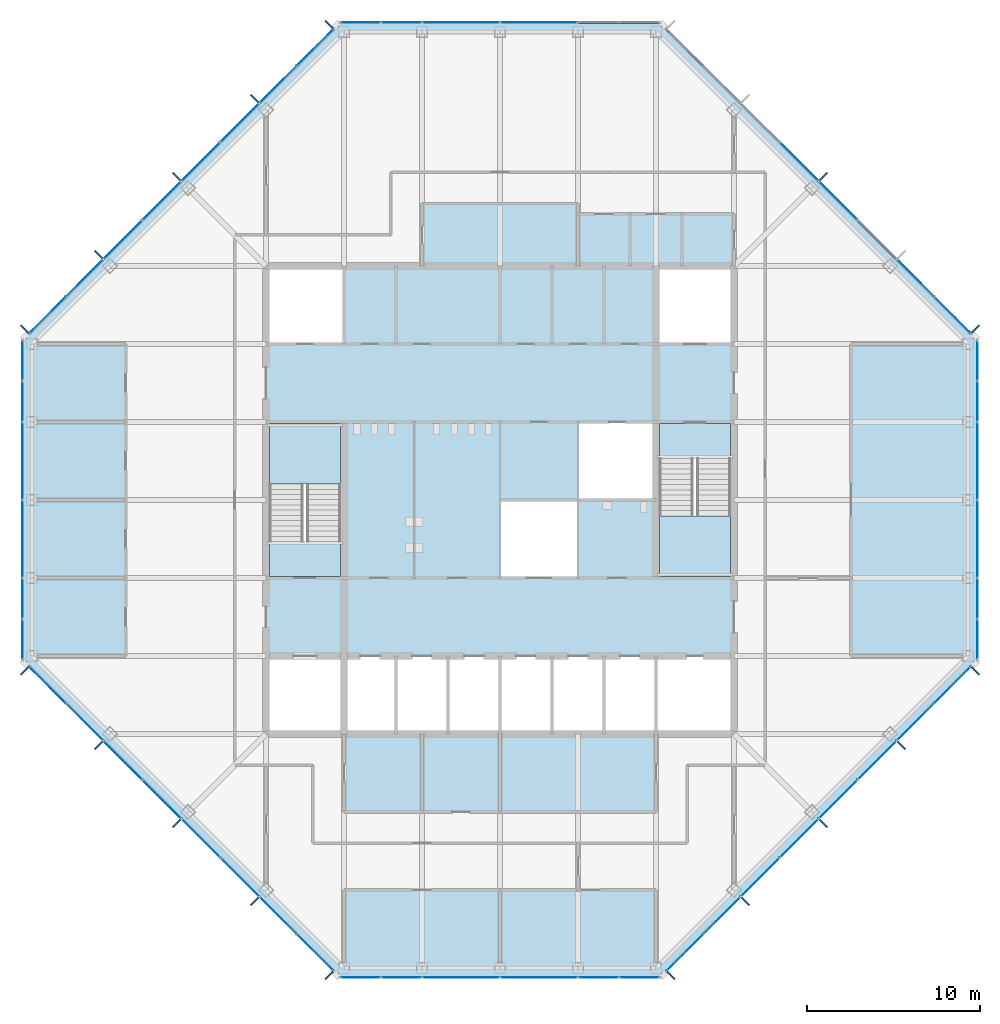
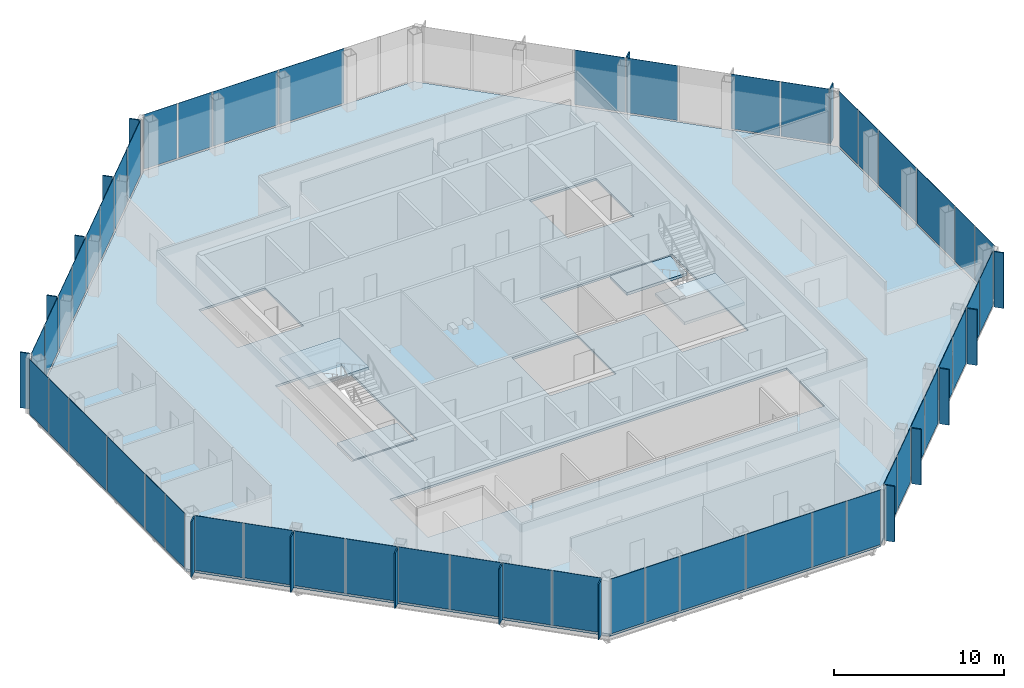
# One storey, part 8 of 14: 67 plates, 5 slabs, 10 elements without a shape of their own.
"""IFC4 building model written with IfcOpenShell, lengths in metres."""

from ifc_helpers import new_model, si_unit, direction, frame, origin, origin_2d, place, context, subcontext, project, spatial, polyline, rectangle, outline, extrude, material, layer, layer_set, type_object, element, aggregate, save


model = new_model("IFC4")

# Units and contexts
model_context = context("Model", 3, precision=1e-05, world=origin(), true_north=direction((0.0, 1.0)))
body_context = subcontext(model_context, "Body", "Model", "MODEL_VIEW")
ifc_project = project(units=[si_unit("LENGTHUNIT", "METRE"), si_unit("AREAUNIT", "SQUARE_METRE"), si_unit("VOLUMEUNIT", "CUBIC_METRE"), si_unit("PLANEANGLEUNIT", "RADIAN"), si_unit("MASSUNIT", "GRAM", prefix="KILO")], contexts=[model_context])

# Site, building, storey
site_placement = place(None, origin())
site = spatial("IfcSite", under=ifc_project, at=site_placement, CompositionType="ELEMENT")
building_placement = place(site_placement, origin())
building = spatial("IfcBuilding", under=site, at=building_placement, Name="Corais Broadcast Tower", CompositionType="ELEMENT")
storey_placement = place(building_placement, frame((0.0, 0.0, 234.60009765625)))
storey = spatial("IfcBuildingStorey", under=building, at=storey_placement, Name="L54", CompositionType="ELEMENT", Elevation=234.60009765625)

# Slab
ifc_material_1 = material(Name="Concrete C30/37", Category="concrete")
ifc_layer_1 = layer(ifc_material_1, 0.159912109375)
ifc_layer_set_1 = layer_set([ifc_layer_1], Name="Concrete C30/37")
slab_type_1 = type_object("IfcSlabType", Name="Composite floor slab 160", PredefinedType="FLOOR", material=ifc_layer_set_1)
slab_1_placement = place(storey_placement, frame((0.0, 0.0, -0.16015625)))
element("IfcSlab", 1, at=slab_1_placement, inside=storey, type_object=slab_type_1, Name="S160 floor slab L54", PredefinedType="FLOOR", context=body_context, shape_type="SweptSolid", body=[
    extrude(outline(polyline([(17.80126953125, -0.47998046875), (-0.47998046875, 17.80126953125), (-0.47998046875, 36.19873046875), (17.80126953125, 54.47998046875), (36.19873046875, 54.47998046875), (54.47998046875, 36.19873046875), (54.47998046875, 17.80126953125), (36.19873046875, -0.47998046875), (17.80126953125, -0.47998046875)]), holes=[polyline([(13.5, 18.0), (40.5, 18.0), (40.5, 13.5), (13.5, 13.5), (13.5, 18.0)]), polyline([(18.0, 22.5), (13.5, 22.5), (13.5, 31.5), (18.0, 31.5), (18.0, 22.5)]), polyline([(18.0, 36.0), (13.5, 36.0), (13.5, 40.5), (18.0, 40.5), (18.0, 36.0)]), polyline([(31.5, 22.5), (27.0, 22.5), (27.0, 27.0), (31.4951171875, 27.0), (31.4951171875, 27.0048828125), (31.5, 27.0048828125), (31.5, 31.5), (40.5, 31.5), (40.5, 22.5), (36.0, 22.5), (36.0, 27.0), (31.5048828125, 27.0), (31.5048828125, 26.9951171875), (31.5, 26.9951171875), (31.5, 22.5)]), polyline([(40.5, 36.0), (36.0, 36.0), (36.0, 40.5), (40.5, 40.5), (40.5, 36.0)])]), origin(), (0.0, 0.0, 1.0), 0.16015625),
])

# Curtain wall, plates
ifc_material_2 = material(Name="Aluminium and glass", Category="aluminium")
curtain_wall_type = type_object("IfcCurtainWallType", Name="Unitised fritted curtain wall CW3", PredefinedType="NOTDEFINED", material=ifc_material_2)
curtain_wall_1_placement = place(storey_placement, origin())
curtain_wall_1 = element("IfcCurtainWall", 2, at=curtain_wall_1_placement, inside=storey, type_object=curtain_wall_type, Name="CW3 curtain wall L54 1", PredefinedType="NOTDEFINED")
ifc_material_3 = material(Name="Ceramic-fritted laminated glass", Category="glass")
ifc_layer_2 = layer(ifc_material_3, 0.02587890625)
ifc_layer_set_2 = layer_set([ifc_layer_2], Name="Ceramic-fritted laminated glass")
plate_type_1 = type_object("IfcPlateType", Name="Fritted glass panel CW3", PredefinedType="CURTAIN_PANEL", material=ifc_layer_set_2)
plate_1_placement = place(storey_placement, frame((16.330322265625, 0.891845703125, 0.06494140625), z_axis=(0.0, 0.0, 1.0), x_axis=(-0.707106781187, 0.707106781187, 0.0)))
plate_1 = element("IfcPlate", 3, at=plate_1_placement, type_object=plate_type_1, Name="CW3 panel 1", PredefinedType="CURTAIN_PANEL", context=body_context, shape_type="SweptSolid", body=[
    extrude(rectangle(XDim=2.9482421875, YDim=0.02587890625, at=origin_2d()), origin(), (0.0, 0.0, 1.0), 3.93505859375),
])
plate_2_placement = place(storey_placement, frame((11.986083984375, 5.236083984375, 0.06494140625), z_axis=(0.0, 0.0, 1.0), x_axis=(-0.707106781187, 0.707106781187, 0.0)))
plate_2 = element("IfcPlate", 4, at=plate_2_placement, type_object=plate_type_1, Name="CW3 panel 3", PredefinedType="CURTAIN_PANEL", context=body_context, shape_type="SweptSolid", body=[
    extrude(rectangle(XDim=3.116943359375, YDim=0.02587890625, at=origin_2d()), origin(), (0.0, 0.0, 1.0), 3.93505859375),
])
plate_3_placement = place(storey_placement, frame((7.486083984375, 9.736083984375, 0.06494140625), z_axis=(0.0, 0.0, 1.0), x_axis=(-0.707106781187, 0.707106781187, 0.0)))
plate_3 = element("IfcPlate", 5, at=plate_3_placement, type_object=plate_type_1, Name="CW3 panel 5", PredefinedType="CURTAIN_PANEL", context=body_context, shape_type="SweptSolid", body=[
    extrude(rectangle(XDim=3.116943359375, YDim=0.02587890625, at=origin_2d()), origin(), (0.0, 0.0, 1.0), 3.93505859375),
])
plate_4_placement = place(storey_placement, frame((3.0341796875, 14.18798828125, 0.06494140625), z_axis=(0.0, 0.0, 1.0), x_axis=(-0.707106781187, 0.707106781187, 0.0)))
plate_4 = element("IfcPlate", 6, at=plate_4_placement, type_object=plate_type_1, Name="CW3 panel 7", PredefinedType="CURTAIN_PANEL", context=body_context, shape_type="SweptSolid", body=[
    extrude(rectangle(XDim=2.98095703125, YDim=0.02587890625, at=origin_2d()), origin(), (0.0, 0.0, 1.0), 3.93505859375),
])

curtain_wall_2_placement = place(storey_placement, origin())
curtain_wall_2 = element("IfcCurtainWall", 7, at=curtain_wall_2_placement, inside=storey, type_object=curtain_wall_type, Name="CW3 curtain wall L54 2", PredefinedType="NOTDEFINED")
plate_5_placement = place(storey_placement, frame((-0.550048828125, 18.970458984375, 0.06494140625), z_axis=(0.0, 0.0, 1.0), x_axis=(0.0, 1.0, 0.0)))
plate_5 = element("IfcPlate", 8, at=plate_5_placement, type_object=plate_type_1, Name="CW3 panel 1", PredefinedType="CURTAIN_PANEL", context=body_context, shape_type="SweptSolid", body=[
    extrude(rectangle(XDim=2.266357421875, YDim=0.02587890625, at=origin_2d()), origin(), (0.0, 0.0, 1.0), 3.93505859375),
])
plate_6_placement = place(storey_placement, frame((-0.550048828125, 24.75, 0.06494140625), z_axis=(0.0, 0.0, 1.0), x_axis=(0.0, 1.0, 0.0)))
plate_6 = element("IfcPlate", 9, at=plate_6_placement, type_object=plate_type_1, Name="CW3 panel 3", PredefinedType="CURTAIN_PANEL", context=body_context, shape_type="SweptSolid", body=[
    extrude(rectangle(XDim=4.43505859375, YDim=0.02587890625, at=origin_2d()), origin(), (0.0, 0.0, 1.0), 3.93505859375),
])
plate_7_placement = place(storey_placement, frame((-0.550048828125, 32.681884765625, 0.06494140625), z_axis=(0.0, 0.0, 1.0), x_axis=(0.0, 1.0, 0.0)))
plate_7 = element("IfcPlate", 10, at=plate_7_placement, type_object=plate_type_1, Name="CW3 panel 5", PredefinedType="CURTAIN_PANEL", context=body_context, shape_type="SweptSolid", body=[
    extrude(rectangle(XDim=2.298828125, YDim=0.02587890625, at=origin_2d()), origin(), (0.0, 0.0, 1.0), 3.93505859375),
])

curtain_wall_3_placement = place(storey_placement, origin())
curtain_wall_3 = element("IfcCurtainWall", 11, at=curtain_wall_3_placement, inside=storey, type_object=curtain_wall_type, Name="CW3 curtain wall L54 3", PredefinedType="NOTDEFINED")
plate_8_placement = place(storey_placement, frame((0.891845703125, 37.669677734375, 0.06494140625), z_axis=(0.0, 0.0, 1.0), x_axis=(0.707106781187, 0.707106781187, 0.0)))
plate_8 = element("IfcPlate", 12, at=plate_8_placement, type_object=plate_type_1, Name="CW3 panel 1", PredefinedType="CURTAIN_PANEL", context=body_context, shape_type="SweptSolid", body=[
    extrude(rectangle(XDim=2.9482421875, YDim=0.02587890625, at=origin_2d()), origin(), (0.0, 0.0, 1.0), 3.93505859375),
])
plate_9_placement = place(storey_placement, frame((5.236083984375, 42.013916015625, 0.06494140625), z_axis=(0.0, 0.0, 1.0), x_axis=(0.707106781187, 0.707106781187, 0.0)))
plate_9 = element("IfcPlate", 13, at=plate_9_placement, type_object=plate_type_1, Name="CW3 panel 3", PredefinedType="CURTAIN_PANEL", context=body_context, shape_type="SweptSolid", body=[
    extrude(rectangle(XDim=3.116943359375, YDim=0.02587890625, at=origin_2d()), origin(), (0.0, 0.0, 1.0), 3.93505859375),
])
plate_10_placement = place(storey_placement, frame((9.736083984375, 46.513916015625, 0.06494140625), z_axis=(0.0, 0.0, 1.0), x_axis=(0.707106781187, 0.707106781187, 0.0)))
plate_10 = element("IfcPlate", 14, at=plate_10_placement, type_object=plate_type_1, Name="CW3 panel 5", PredefinedType="CURTAIN_PANEL", context=body_context, shape_type="SweptSolid", body=[
    extrude(rectangle(XDim=3.116943359375, YDim=0.02587890625, at=origin_2d()), origin(), (0.0, 0.0, 1.0), 3.93505859375),
])
plate_11_placement = place(storey_placement, frame((14.18798828125, 50.9658203125, 0.06494140625), z_axis=(0.0, 0.0, 1.0), x_axis=(0.707106781187, 0.707106781187, 0.0)))
plate_11 = element("IfcPlate", 15, at=plate_11_placement, type_object=plate_type_1, Name="CW3 panel 7", PredefinedType="CURTAIN_PANEL", context=body_context, shape_type="SweptSolid", body=[
    extrude(rectangle(XDim=2.98095703125, YDim=0.02587890625, at=origin_2d()), origin(), (0.0, 0.0, 1.0), 3.93505859375),
])

curtain_wall_4_placement = place(storey_placement, origin())
curtain_wall_4 = element("IfcCurtainWall", 16, at=curtain_wall_4_placement, inside=storey, type_object=curtain_wall_type, Name="CW3 curtain wall L54 4", PredefinedType="NOTDEFINED")
plate_12_placement = place(storey_placement, frame((18.970458984375, 54.550048828125, 0.06494140625), z_axis=(0.0, 0.0, 1.0), x_axis=(1.0, 0.0, 0.0)))
plate_12 = element("IfcPlate", 17, at=plate_12_placement, type_object=plate_type_1, Name="CW3 panel 1", PredefinedType="CURTAIN_PANEL", context=body_context, shape_type="SweptSolid", body=[
    extrude(rectangle(XDim=2.266357421875, YDim=0.02587890625, at=origin_2d()), origin(), (0.0, 0.0, 1.0), 3.93505859375),
])
plate_13_placement = place(storey_placement, frame((24.75, 54.550048828125, 0.06494140625), z_axis=(0.0, 0.0, 1.0), x_axis=(1.0, 0.0, 0.0)))
plate_13 = element("IfcPlate", 18, at=plate_13_placement, type_object=plate_type_1, Name="CW3 panel 3", PredefinedType="CURTAIN_PANEL", context=body_context, shape_type="SweptSolid", body=[
    extrude(rectangle(XDim=4.43505859375, YDim=0.02587890625, at=origin_2d()), origin(), (0.0, 0.0, 1.0), 3.93505859375),
])

curtain_wall_5_placement = place(storey_placement, origin())
curtain_wall_5 = element("IfcCurtainWall", 19, at=curtain_wall_5_placement, inside=storey, type_object=curtain_wall_type, Name="CW3 curtain wall L54 5", PredefinedType="NOTDEFINED")
plate_14_placement = place(storey_placement, frame((46.513916015625, 44.263916015625, 0.06494140625), z_axis=(0.0, 0.0, 1.0), x_axis=(0.707106781187, -0.707106781187, 0.0)))
plate_14 = element("IfcPlate", 20, at=plate_14_placement, type_object=plate_type_1, Name="CW3 panel 5", PredefinedType="CURTAIN_PANEL", context=body_context, shape_type="SweptSolid", body=[
    extrude(rectangle(XDim=3.116943359375, YDim=0.02587890625, at=origin_2d()), origin(), (0.0, 0.0, 1.0), 3.93505859375),
])
plate_15_placement = place(storey_placement, frame((50.9658203125, 39.81201171875, 0.06494140625), z_axis=(0.0, 0.0, 1.0), x_axis=(0.707106781187, -0.707106781187, 0.0)))
plate_15 = element("IfcPlate", 21, at=plate_15_placement, type_object=plate_type_1, Name="CW3 panel 7", PredefinedType="CURTAIN_PANEL", context=body_context, shape_type="SweptSolid", body=[
    extrude(rectangle(XDim=2.98095703125, YDim=0.02587890625, at=origin_2d()), origin(), (0.0, 0.0, 1.0), 3.93505859375),
])

curtain_wall_6_placement = place(storey_placement, origin())
curtain_wall_6 = element("IfcCurtainWall", 22, at=curtain_wall_6_placement, inside=storey, type_object=curtain_wall_type, Name="CW3 curtain wall L54 6", PredefinedType="NOTDEFINED")
plate_16_placement = place(storey_placement, frame((54.550048828125, 35.029541015625, 0.06494140625), z_axis=(0.0, 0.0, 1.0), x_axis=(0.0, -1.0, 0.0)))
plate_16 = element("IfcPlate", 23, at=plate_16_placement, type_object=plate_type_1, Name="CW3 panel 1", PredefinedType="CURTAIN_PANEL", context=body_context, shape_type="SweptSolid", body=[
    extrude(rectangle(XDim=2.266357421875, YDim=0.02587890625, at=origin_2d()), origin(), (0.0, 0.0, 1.0), 3.93505859375),
])
plate_17_placement = place(storey_placement, frame((54.550048828125, 29.25, 0.06494140625), z_axis=(0.0, 0.0, 1.0), x_axis=(0.0, -1.0, 0.0)))
plate_17 = element("IfcPlate", 24, at=plate_17_placement, type_object=plate_type_1, Name="CW3 panel 3", PredefinedType="CURTAIN_PANEL", context=body_context, shape_type="SweptSolid", body=[
    extrude(rectangle(XDim=4.43505859375, YDim=0.02587890625, at=origin_2d()), origin(), (0.0, 0.0, 1.0), 3.93505859375),
])
plate_18_placement = place(storey_placement, frame((54.550048828125, 21.318115234375, 0.06494140625), z_axis=(0.0, 0.0, 1.0), x_axis=(0.0, -1.0, 0.0)))
plate_18 = element("IfcPlate", 25, at=plate_18_placement, type_object=plate_type_1, Name="CW3 panel 5", PredefinedType="CURTAIN_PANEL", context=body_context, shape_type="SweptSolid", body=[
    extrude(rectangle(XDim=2.298828125, YDim=0.02587890625, at=origin_2d()), origin(), (0.0, 0.0, 1.0), 3.93505859375),
])

curtain_wall_7_placement = place(storey_placement, origin())
curtain_wall_7 = element("IfcCurtainWall", 26, at=curtain_wall_7_placement, inside=storey, type_object=curtain_wall_type, Name="CW3 curtain wall L54 7", PredefinedType="NOTDEFINED")
plate_19_placement = place(storey_placement, frame((53.108154296875, 16.330322265625, 0.06494140625), z_axis=(0.0, 0.0, 1.0), x_axis=(-0.707106781187, -0.707106781187, 0.0)))
plate_19 = element("IfcPlate", 27, at=plate_19_placement, type_object=plate_type_1, Name="CW3 panel 1", PredefinedType="CURTAIN_PANEL", context=body_context, shape_type="SweptSolid", body=[
    extrude(rectangle(XDim=2.9482421875, YDim=0.02587890625, at=origin_2d()), origin(), (0.0, 0.0, 1.0), 3.93505859375),
])
plate_20_placement = place(storey_placement, frame((48.763916015625, 11.986083984375, 0.06494140625), z_axis=(0.0, 0.0, 1.0), x_axis=(-0.707106781187, -0.707106781187, 0.0)))
plate_20 = element("IfcPlate", 28, at=plate_20_placement, type_object=plate_type_1, Name="CW3 panel 3", PredefinedType="CURTAIN_PANEL", context=body_context, shape_type="SweptSolid", body=[
    extrude(rectangle(XDim=3.116943359375, YDim=0.02587890625, at=origin_2d()), origin(), (0.0, 0.0, 1.0), 3.93505859375),
])
plate_21_placement = place(storey_placement, frame((44.263916015625, 7.486083984375, 0.06494140625), z_axis=(0.0, 0.0, 1.0), x_axis=(-0.707106781187, -0.707106781187, 0.0)))
plate_21 = element("IfcPlate", 29, at=plate_21_placement, type_object=plate_type_1, Name="CW3 panel 5", PredefinedType="CURTAIN_PANEL", context=body_context, shape_type="SweptSolid", body=[
    extrude(rectangle(XDim=3.116943359375, YDim=0.02587890625, at=origin_2d()), origin(), (0.0, 0.0, 1.0), 3.93505859375),
])
plate_22_placement = place(storey_placement, frame((39.81201171875, 3.0341796875, 0.06494140625), z_axis=(0.0, 0.0, 1.0), x_axis=(-0.707106781187, -0.707106781187, 0.0)))
plate_22 = element("IfcPlate", 30, at=plate_22_placement, type_object=plate_type_1, Name="CW3 panel 7", PredefinedType="CURTAIN_PANEL", context=body_context, shape_type="SweptSolid", body=[
    extrude(rectangle(XDim=2.98095703125, YDim=0.02587890625, at=origin_2d()), origin(), (0.0, 0.0, 1.0), 3.93505859375),
])

curtain_wall_8_placement = place(storey_placement, origin())
curtain_wall_8 = element("IfcCurtainWall", 31, at=curtain_wall_8_placement, inside=storey, type_object=curtain_wall_type, Name="CW3 curtain wall L54 8", PredefinedType="NOTDEFINED")
plate_23_placement = place(storey_placement, frame((35.029541015625, -0.550048828125, 0.06494140625), z_axis=(0.0, 0.0, 1.0), x_axis=(-1.0, 0.0, 0.0)))
plate_23 = element("IfcPlate", 32, at=plate_23_placement, type_object=plate_type_1, Name="CW3 panel 1", PredefinedType="CURTAIN_PANEL", context=body_context, shape_type="SweptSolid", body=[
    extrude(rectangle(XDim=2.266357421875, YDim=0.02587890625, at=origin_2d()), origin(), (0.0, 0.0, 1.0), 3.93505859375),
])
plate_24_placement = place(storey_placement, frame((29.25, -0.550048828125, 0.06494140625), z_axis=(0.0, 0.0, 1.0), x_axis=(-1.0, 0.0, 0.0)))
plate_24 = element("IfcPlate", 33, at=plate_24_placement, type_object=plate_type_1, Name="CW3 panel 3", PredefinedType="CURTAIN_PANEL", context=body_context, shape_type="SweptSolid", body=[
    extrude(rectangle(XDim=4.43505859375, YDim=0.02587890625, at=origin_2d()), origin(), (0.0, 0.0, 1.0), 3.93505859375),
])
plate_25_placement = place(storey_placement, frame((21.318115234375, -0.550048828125, 0.06494140625), z_axis=(0.0, 0.0, 1.0), x_axis=(-1.0, 0.0, 0.0)))
plate_25 = element("IfcPlate", 34, at=plate_25_placement, type_object=plate_type_1, Name="CW3 panel 5", PredefinedType="CURTAIN_PANEL", context=body_context, shape_type="SweptSolid", body=[
    extrude(rectangle(XDim=2.298828125, YDim=0.02587890625, at=origin_2d()), origin(), (0.0, 0.0, 1.0), 3.93505859375),
])

# Plate
ifc_material_4 = material(Name="Clear laminated glass", Category="glass")
ifc_layer_3 = layer(ifc_material_4, 0.030029296875)
ifc_layer_set_3 = layer_set([ifc_layer_3], Name="Clear laminated glass")
plate_type_2 = type_object("IfcPlateType", Name="Operable glass panel CW3", PredefinedType="CURTAIN_PANEL", material=ifc_layer_set_3)
plate_26_placement = place(storey_placement, frame((14.18798828125, 3.0341796875, 0.06494140625), z_axis=(0.0, 0.0, 1.0), x_axis=(-0.707106781187, 0.707106781187, 0.0)))
plate_26 = element("IfcPlate", 35, at=plate_26_placement, type_object=plate_type_2, Name="CW3 operable panel 2", PredefinedType="CURTAIN_PANEL", context=body_context, shape_type="SweptSolid", body=[
    extrude(rectangle(XDim=2.98095703125, YDim=0.030029296875, at=origin_2d()), origin(), (0.0, 0.0, 1.0), 3.93505859375),
])

plate_27_placement = place(storey_placement, frame((9.736083984375, 7.486083984375, 0.06494140625), z_axis=(0.0, 0.0, 1.0), x_axis=(-0.707106781187, 0.707106781187, 0.0)))
plate_27 = element("IfcPlate", 36, at=plate_27_placement, type_object=plate_type_2, Name="CW3 operable panel 4", PredefinedType="CURTAIN_PANEL", context=body_context, shape_type="SweptSolid", body=[
    extrude(rectangle(XDim=3.116943359375, YDim=0.030029296875, at=origin_2d()), origin(), (0.0, 0.0, 1.0), 3.93505859375),
])

plate_28_placement = place(storey_placement, frame((5.236083984375, 11.986083984375, 0.06494140625), z_axis=(0.0, 0.0, 1.0), x_axis=(-0.707106781187, 0.707106781187, 0.0)))
plate_28 = element("IfcPlate", 37, at=plate_28_placement, type_object=plate_type_2, Name="CW3 operable panel 6", PredefinedType="CURTAIN_PANEL", context=body_context, shape_type="SweptSolid", body=[
    extrude(rectangle(XDim=3.116943359375, YDim=0.030029296875, at=origin_2d()), origin(), (0.0, 0.0, 1.0), 3.93505859375),
])

plate_29_placement = place(storey_placement, frame((0.89208984375, 16.330322265625, 0.06494140625), z_axis=(0.0, 0.0, 1.0), x_axis=(-0.707106781187, 0.707106781187, 0.0)))
plate_29 = element("IfcPlate", 38, at=plate_29_placement, type_object=plate_type_2, Name="CW3 operable panel 8", PredefinedType="CURTAIN_PANEL", context=body_context, shape_type="SweptSolid", body=[
    extrude(rectangle(XDim=2.948486328125, YDim=0.030029296875, at=origin_2d()), origin(), (0.0, 0.0, 1.0), 3.93505859375),
])

aggregate(curtain_wall_1, [plate_1, plate_26, plate_2, plate_27, plate_3, plate_28, plate_4, plate_29])

plate_30_placement = place(storey_placement, frame((-0.550048828125, 21.318115234375, 0.06494140625), z_axis=(0.0, 0.0, 1.0), x_axis=(0.0, 1.0, 0.0)))
plate_30 = element("IfcPlate", 39, at=plate_30_placement, type_object=plate_type_2, Name="CW3 operable panel 2", PredefinedType="CURTAIN_PANEL", context=body_context, shape_type="SweptSolid", body=[
    extrude(rectangle(XDim=2.298828125, YDim=0.030029296875, at=origin_2d()), origin(), (0.0, 0.0, 1.0), 3.93505859375),
])

plate_31_placement = place(storey_placement, frame((-0.550048828125, 29.25, 0.06494140625), z_axis=(0.0, 0.0, 1.0), x_axis=(0.0, 1.0, 0.0)))
plate_31 = element("IfcPlate", 40, at=plate_31_placement, type_object=plate_type_2, Name="CW3 operable panel 4", PredefinedType="CURTAIN_PANEL", context=body_context, shape_type="SweptSolid", body=[
    extrude(rectangle(XDim=4.43505859375, YDim=0.030029296875, at=origin_2d()), origin(), (0.0, 0.0, 1.0), 3.93505859375),
])

plate_32_placement = place(storey_placement, frame((-0.550048828125, 35.029541015625, 0.06494140625), z_axis=(0.0, 0.0, 1.0), x_axis=(0.0, 1.0, 0.0)))
plate_32 = element("IfcPlate", 41, at=plate_32_placement, type_object=plate_type_2, Name="CW3 operable panel 6", PredefinedType="CURTAIN_PANEL", context=body_context, shape_type="SweptSolid", body=[
    extrude(rectangle(XDim=2.266357421875, YDim=0.030029296875, at=origin_2d()), origin(), (0.0, 0.0, 1.0), 3.93505859375),
])

aggregate(curtain_wall_2, [plate_5, plate_30, plate_6, plate_31, plate_7, plate_32])

plate_33_placement = place(storey_placement, frame((3.0341796875, 39.81201171875, 0.06494140625), z_axis=(0.0, 0.0, 1.0), x_axis=(0.707106781187, 0.707106781187, 0.0)))
plate_33 = element("IfcPlate", 42, at=plate_33_placement, type_object=plate_type_2, Name="CW3 operable panel 2", PredefinedType="CURTAIN_PANEL", context=body_context, shape_type="SweptSolid", body=[
    extrude(rectangle(XDim=2.98095703125, YDim=0.030029296875, at=origin_2d()), origin(), (0.0, 0.0, 1.0), 3.93505859375),
])

plate_34_placement = place(storey_placement, frame((7.486083984375, 44.263916015625, 0.06494140625), z_axis=(0.0, 0.0, 1.0), x_axis=(0.707106781187, 0.707106781187, 0.0)))
plate_34 = element("IfcPlate", 43, at=plate_34_placement, type_object=plate_type_2, Name="CW3 operable panel 4", PredefinedType="CURTAIN_PANEL", context=body_context, shape_type="SweptSolid", body=[
    extrude(rectangle(XDim=3.116943359375, YDim=0.030029296875, at=origin_2d()), origin(), (0.0, 0.0, 1.0), 3.93505859375),
])

plate_35_placement = place(storey_placement, frame((11.986083984375, 48.763916015625, 0.06494140625), z_axis=(0.0, 0.0, 1.0), x_axis=(0.707106781187, 0.707106781187, 0.0)))
plate_35 = element("IfcPlate", 44, at=plate_35_placement, type_object=plate_type_2, Name="CW3 operable panel 6", PredefinedType="CURTAIN_PANEL", context=body_context, shape_type="SweptSolid", body=[
    extrude(rectangle(XDim=3.116943359375, YDim=0.030029296875, at=origin_2d()), origin(), (0.0, 0.0, 1.0), 3.93505859375),
])

plate_36_placement = place(storey_placement, frame((16.330322265625, 53.10791015625, 0.06494140625), z_axis=(0.0, 0.0, 1.0), x_axis=(0.707106781187, 0.707106781187, 0.0)))
plate_36 = element("IfcPlate", 45, at=plate_36_placement, type_object=plate_type_2, Name="CW3 operable panel 8", PredefinedType="CURTAIN_PANEL", context=body_context, shape_type="SweptSolid", body=[
    extrude(rectangle(XDim=2.948486328125, YDim=0.030029296875, at=origin_2d()), origin(), (0.0, 0.0, 1.0), 3.93505859375),
])

aggregate(curtain_wall_3, [plate_8, plate_33, plate_9, plate_34, plate_10, plate_35, plate_11, plate_36])

plate_37_placement = place(storey_placement, frame((21.318115234375, 54.550048828125, 0.06494140625), z_axis=(0.0, 0.0, 1.0), x_axis=(1.0, 0.0, 0.0)))
plate_37 = element("IfcPlate", 46, at=plate_37_placement, type_object=plate_type_2, Name="CW3 operable panel 2", PredefinedType="CURTAIN_PANEL", context=body_context, shape_type="SweptSolid", body=[
    extrude(rectangle(XDim=2.298828125, YDim=0.030029296875, at=origin_2d()), origin(), (0.0, 0.0, 1.0), 3.93505859375),
])

plate_38_placement = place(storey_placement, frame((29.25, 54.550048828125, 0.06494140625), z_axis=(0.0, 0.0, 1.0), x_axis=(1.0, 0.0, 0.0)))
plate_38 = element("IfcPlate", 47, at=plate_38_placement, type_object=plate_type_2, Name="CW3 operable panel 4", PredefinedType="CURTAIN_PANEL", context=body_context, shape_type="SweptSolid", body=[
    extrude(rectangle(XDim=4.43505859375, YDim=0.030029296875, at=origin_2d()), origin(), (0.0, 0.0, 1.0), 3.93505859375),
])

aggregate(curtain_wall_4, [plate_12, plate_37, plate_13, plate_38])

plate_39_placement = place(storey_placement, frame((44.263916015625, 46.513916015625, 0.06494140625), z_axis=(0.0, 0.0, 1.0), x_axis=(0.707106781187, -0.707106781187, 0.0)))
plate_39 = element("IfcPlate", 48, at=plate_39_placement, type_object=plate_type_2, Name="CW3 operable panel 4", PredefinedType="CURTAIN_PANEL", context=body_context, shape_type="SweptSolid", body=[
    extrude(rectangle(XDim=3.116943359375, YDim=0.030029296875, at=origin_2d()), origin(), (0.0, 0.0, 1.0), 3.93505859375),
])

plate_40_placement = place(storey_placement, frame((53.10791015625, 37.669677734375, 0.06494140625), z_axis=(0.0, 0.0, 1.0), x_axis=(0.707106781187, -0.707106781187, 0.0)))
plate_40 = element("IfcPlate", 49, at=plate_40_placement, type_object=plate_type_2, Name="CW3 operable panel 8", PredefinedType="CURTAIN_PANEL", context=body_context, shape_type="SweptSolid", body=[
    extrude(rectangle(XDim=2.948486328125, YDim=0.030029296875, at=origin_2d()), origin(), (0.0, 0.0, 1.0), 3.93505859375),
])

aggregate(curtain_wall_5, [plate_39, plate_14, plate_15, plate_40])

plate_41_placement = place(storey_placement, frame((54.550048828125, 32.681884765625, 0.06494140625), z_axis=(0.0, 0.0, 1.0), x_axis=(0.0, -1.0, 0.0)))
plate_41 = element("IfcPlate", 50, at=plate_41_placement, type_object=plate_type_2, Name="CW3 operable panel 2", PredefinedType="CURTAIN_PANEL", context=body_context, shape_type="SweptSolid", body=[
    extrude(rectangle(XDim=2.298828125, YDim=0.030029296875, at=origin_2d()), origin(), (0.0, 0.0, 1.0), 3.93505859375),
])

plate_42_placement = place(storey_placement, frame((54.550048828125, 24.75, 0.06494140625), z_axis=(0.0, 0.0, 1.0), x_axis=(0.0, -1.0, 0.0)))
plate_42 = element("IfcPlate", 51, at=plate_42_placement, type_object=plate_type_2, Name="CW3 operable panel 4", PredefinedType="CURTAIN_PANEL", context=body_context, shape_type="SweptSolid", body=[
    extrude(rectangle(XDim=4.43505859375, YDim=0.030029296875, at=origin_2d()), origin(), (0.0, 0.0, 1.0), 3.93505859375),
])

plate_43_placement = place(storey_placement, frame((54.550048828125, 18.970458984375, 0.06494140625), z_axis=(0.0, 0.0, 1.0), x_axis=(0.0, -1.0, 0.0)))
plate_43 = element("IfcPlate", 52, at=plate_43_placement, type_object=plate_type_2, Name="CW3 operable panel 6", PredefinedType="CURTAIN_PANEL", context=body_context, shape_type="SweptSolid", body=[
    extrude(rectangle(XDim=2.266357421875, YDim=0.030029296875, at=origin_2d()), origin(), (0.0, 0.0, 1.0), 3.93505859375),
])

aggregate(curtain_wall_6, [plate_16, plate_41, plate_17, plate_42, plate_18, plate_43])

plate_44_placement = place(storey_placement, frame((50.9658203125, 14.18798828125, 0.06494140625), z_axis=(0.0, 0.0, 1.0), x_axis=(-0.707106781187, -0.707106781187, 0.0)))
plate_44 = element("IfcPlate", 53, at=plate_44_placement, type_object=plate_type_2, Name="CW3 operable panel 2", PredefinedType="CURTAIN_PANEL", context=body_context, shape_type="SweptSolid", body=[
    extrude(rectangle(XDim=2.98095703125, YDim=0.030029296875, at=origin_2d()), origin(), (0.0, 0.0, 1.0), 3.93505859375),
])

plate_45_placement = place(storey_placement, frame((46.513916015625, 9.736083984375, 0.06494140625), z_axis=(0.0, 0.0, 1.0), x_axis=(-0.707106781187, -0.707106781187, 0.0)))
plate_45 = element("IfcPlate", 54, at=plate_45_placement, type_object=plate_type_2, Name="CW3 operable panel 4", PredefinedType="CURTAIN_PANEL", context=body_context, shape_type="SweptSolid", body=[
    extrude(rectangle(XDim=3.116943359375, YDim=0.030029296875, at=origin_2d()), origin(), (0.0, 0.0, 1.0), 3.93505859375),
])

plate_46_placement = place(storey_placement, frame((42.013916015625, 5.236083984375, 0.06494140625), z_axis=(0.0, 0.0, 1.0), x_axis=(-0.707106781187, -0.707106781187, 0.0)))
plate_46 = element("IfcPlate", 55, at=plate_46_placement, type_object=plate_type_2, Name="CW3 operable panel 6", PredefinedType="CURTAIN_PANEL", context=body_context, shape_type="SweptSolid", body=[
    extrude(rectangle(XDim=3.116943359375, YDim=0.030029296875, at=origin_2d()), origin(), (0.0, 0.0, 1.0), 3.93505859375),
])

plate_47_placement = place(storey_placement, frame((37.669677734375, 0.89208984375, 0.06494140625), z_axis=(0.0, 0.0, 1.0), x_axis=(-0.707106781187, -0.707106781187, 0.0)))
plate_47 = element("IfcPlate", 56, at=plate_47_placement, type_object=plate_type_2, Name="CW3 operable panel 8", PredefinedType="CURTAIN_PANEL", context=body_context, shape_type="SweptSolid", body=[
    extrude(rectangle(XDim=2.948486328125, YDim=0.030029296875, at=origin_2d()), origin(), (0.0, 0.0, 1.0), 3.93505859375),
])

aggregate(curtain_wall_7, [plate_19, plate_44, plate_20, plate_45, plate_21, plate_46, plate_22, plate_47])

plate_48_placement = place(storey_placement, frame((32.681884765625, -0.550048828125, 0.06494140625), z_axis=(0.0, 0.0, 1.0), x_axis=(-1.0, 0.0, 0.0)))
plate_48 = element("IfcPlate", 57, at=plate_48_placement, type_object=plate_type_2, Name="CW3 operable panel 2", PredefinedType="CURTAIN_PANEL", context=body_context, shape_type="SweptSolid", body=[
    extrude(rectangle(XDim=2.298828125, YDim=0.030029296875, at=origin_2d()), origin(), (0.0, 0.0, 1.0), 3.93505859375),
])

plate_49_placement = place(storey_placement, frame((24.75, -0.550048828125, 0.06494140625), z_axis=(0.0, 0.0, 1.0), x_axis=(-1.0, 0.0, 0.0)))
plate_49 = element("IfcPlate", 58, at=plate_49_placement, type_object=plate_type_2, Name="CW3 operable panel 4", PredefinedType="CURTAIN_PANEL", context=body_context, shape_type="SweptSolid", body=[
    extrude(rectangle(XDim=4.43505859375, YDim=0.030029296875, at=origin_2d()), origin(), (0.0, 0.0, 1.0), 3.93505859375),
])

plate_50_placement = place(storey_placement, frame((18.970458984375, -0.550048828125, 0.06494140625), z_axis=(0.0, 0.0, 1.0), x_axis=(-1.0, 0.0, 0.0)))
plate_50 = element("IfcPlate", 59, at=plate_50_placement, type_object=plate_type_2, Name="CW3 operable panel 6", PredefinedType="CURTAIN_PANEL", context=body_context, shape_type="SweptSolid", body=[
    extrude(rectangle(XDim=2.266357421875, YDim=0.030029296875, at=origin_2d()), origin(), (0.0, 0.0, 1.0), 3.93505859375),
])

aggregate(curtain_wall_8, [plate_23, plate_48, plate_24, plate_49, plate_25, plate_50])

# Stair, slabs
ifc_material_5 = material(Name="Concrete C30/37", Category="concrete")
stair_type = type_object("IfcStairType", Name="Half-turn stair 4000", PredefinedType="HALF_TURN_STAIR", material=ifc_material_5)
stair_1_placement = place(storey_placement, origin())
stair_1 = element("IfcStair", 60, at=stair_1_placement, inside=storey, type_object=stair_type, Name="Stair A L54", PredefinedType="HALF_TURN_STAIR")
ifc_material_6 = material(Name="Concrete C30/37", Category="concrete")
ifc_layer_4 = layer(ifc_material_6, 0.199951171875)
ifc_layer_set_4 = layer_set([ifc_layer_4], Name="Concrete C30/37")
slab_type_2 = type_object("IfcSlabType", Name="Stair landing 200", PredefinedType="LANDING", material=ifc_layer_set_4)
slab_2_placement = place(storey_placement, frame((0.0, 0.0, -0.2001953125)))
slab_2 = element("IfcSlab", 61, at=slab_2_placement, type_object=slab_type_2, Name="STA landing 1", PredefinedType="LANDING", context=body_context, shape_type="SweptSolid", body=[
    extrude(outline(polyline([(13.699951171875, 22.60009765625), (17.800048828125, 22.60009765625), (17.800048828125, 24.60009765625), (13.699951171875, 24.60009765625), (13.699951171875, 22.60009765625)])), origin(), (0.0, 0.0, 1.0), 0.2001953125),
])
slab_3_placement = place(storey_placement, frame((0.0, 0.0, 1.7998046875)))
slab_3 = element("IfcSlab", 62, at=slab_3_placement, type_object=slab_type_2, Name="STA landing 2", PredefinedType="LANDING", context=body_context, shape_type="SweptSolid", body=[
    extrude(outline(polyline([(13.699951171875, 27.922119140625), (17.800048828125, 27.922119140625), (17.800048828125, 31.39990234375), (13.699951171875, 31.39990234375), (13.699951171875, 27.922119140625)])), origin(), (0.0, 0.0, 1.0), 0.2001953125),
])
aggregate(stair_1, [slab_2, slab_3])

stair_2_placement = place(storey_placement, origin())
stair_2 = element("IfcStair", 63, at=stair_2_placement, inside=storey, type_object=stair_type, Name="Stair B L54", PredefinedType="HALF_TURN_STAIR")
slab_4_placement = place(storey_placement, frame((0.0, 0.0, -0.2001953125)))
slab_4 = element("IfcSlab", 64, at=slab_4_placement, type_object=slab_type_2, Name="STB landing 1", PredefinedType="LANDING", context=body_context, shape_type="SweptSolid", body=[
    extrude(outline(polyline([(36.199951171875, 29.39990234375), (40.300048828125, 29.39990234375), (40.300048828125, 31.39990234375), (36.199951171875, 31.39990234375), (36.199951171875, 29.39990234375)])), origin(), (0.0, 0.0, 1.0), 0.2001953125),
])
slab_5_placement = place(storey_placement, frame((0.0, 0.0, 1.7998046875)))
slab_5 = element("IfcSlab", 65, at=slab_5_placement, type_object=slab_type_2, Name="STB landing 2", PredefinedType="LANDING", context=body_context, shape_type="SweptSolid", body=[
    extrude(outline(polyline([(36.199951171875, 22.60009765625), (40.300048828125, 22.60009765625), (40.300048828125, 26.077880859375), (36.199951171875, 26.077880859375), (36.199951171875, 22.60009765625)])), origin(), (0.0, 0.0, 1.0), 0.2001953125),
])
aggregate(stair_2, [slab_4, slab_5])

# Plates
ifc_material_7 = material(Name="Granite stone cladding", Category="masonry")
ifc_layer_5 = layer(ifc_material_7, 0.080078125)
ifc_layer_set_5 = layer_set([ifc_layer_5], Name="Granite stone cladding")
plate_type_3 = type_object("IfcPlateType", Name="Stone screen fin 80x600", PredefinedType="USERDEFINED", material=ifc_layer_set_5)
for number, where, z_axis, x_axis, name in (
    (66, (17.129150390625, -0.43994140625, 0.0), (0.0, 0.0, 1.0), (-0.707106781187, 0.707106781187, 0.0), "SF1 stone screen fin L54"),
    (67, (12.844482421875, 3.844482421875, 0.0), (0.0, 0.0, 1.0), (-0.707106781187, 0.707106781187, 0.0), "SF1 stone screen fin L54"),
    (68, (8.344482421875, 8.344482421875, 0.0), (0.0, 0.0, 1.0), (-0.707106781187, 0.707106781187, 0.0), "SF1 stone screen fin L54"),
    (69, (3.844482421875, 12.844482421875, 0.0), (0.0, 0.0, 1.0), (-0.707106781187, 0.707106781187, 0.0), "SF1 stone screen fin L54"),
    (70, (-0.43994140625, 17.129150390625, 0.0), (0.0, 0.0, 1.0), (-0.707106781187, 0.707106781187, 0.0), "SF1 stone screen fin L54"),
    (71, (-0.43994140625, 36.870849609375, 0.0), (0.0, 0.0, 1.0), (0.707106781187, 0.707106781187, 0.0), "SF1 stone screen fin L54"),
    (72, (3.844482421875, 41.155517578125, 0.0), (0.0, 0.0, 1.0), (0.707106781187, 0.707106781187, 0.0), "SF1 stone screen fin L54"),
    (73, (8.344482421875, 45.655517578125, 0.0), (0.0, 0.0, 1.0), (0.707106781187, 0.707106781187, 0.0), "SF1 stone screen fin L54"),
    (74, (12.844482421875, 50.155517578125, 0.0), (0.0, 0.0, 1.0), (0.707106781187, 0.707106781187, 0.0), "SF1 stone screen fin L54"),
    (75, (17.129150390625, 54.43994140625, 0.0), (0.0, 0.0, 1.0), (0.707106781187, 0.707106781187, 0.0), "SF1 stone screen fin L54"),
    (76, (45.655517578125, 45.655517578125, 0.0), (0.0, 0.0, 1.0), (0.707106781187, -0.707106781187, 0.0), "SF1 stone screen fin L54"),
    (77, (54.43994140625, 36.870849609375, 0.0), (0.0, 0.0, 1.0), (0.707106781187, -0.707106781187, 0.0), "SF1 stone screen fin L54"),
    (78, (54.43994140625, 17.129150390625, 0.0), (0.0, 0.0, 1.0), (-0.707106781187, -0.707106781187, 0.0), "SF1 stone screen fin L54"),
    (79, (50.155517578125, 12.844482421875, 0.0), (0.0, 0.0, 1.0), (-0.707106781187, -0.707106781187, 0.0), "SF1 stone screen fin L54"),
    (80, (45.655517578125, 8.344482421875, 0.0), (0.0, 0.0, 1.0), (-0.707106781187, -0.707106781187, 0.0), "SF1 stone screen fin L54"),
    (81, (41.155517578125, 3.844482421875, 0.0), (0.0, 0.0, 1.0), (-0.707106781187, -0.707106781187, 0.0), "SF1 stone screen fin L54"),
    (82, (36.870849609375, -0.43994140625, 0.0), (0.0, 0.0, 1.0), (-0.707106781187, -0.707106781187, 0.0), "SF1 stone screen fin L54"),
):
    element("IfcPlate", number, at=place(storey_placement, frame(where, z_axis=z_axis, x_axis=x_axis)), inside=storey, type_object=plate_type_3, Name=name, ObjectType="STONE SCREEN FIN", PredefinedType="USERDEFINED", context=body_context, shape_type="SweptSolid", body=[
        extrude(rectangle(XDim=0.080078125, YDim=0.60009765625, at=origin_2d()), origin(), (0.0, 0.0, 1.0), 4.0),
    ])

save(model, "model.ifc")
